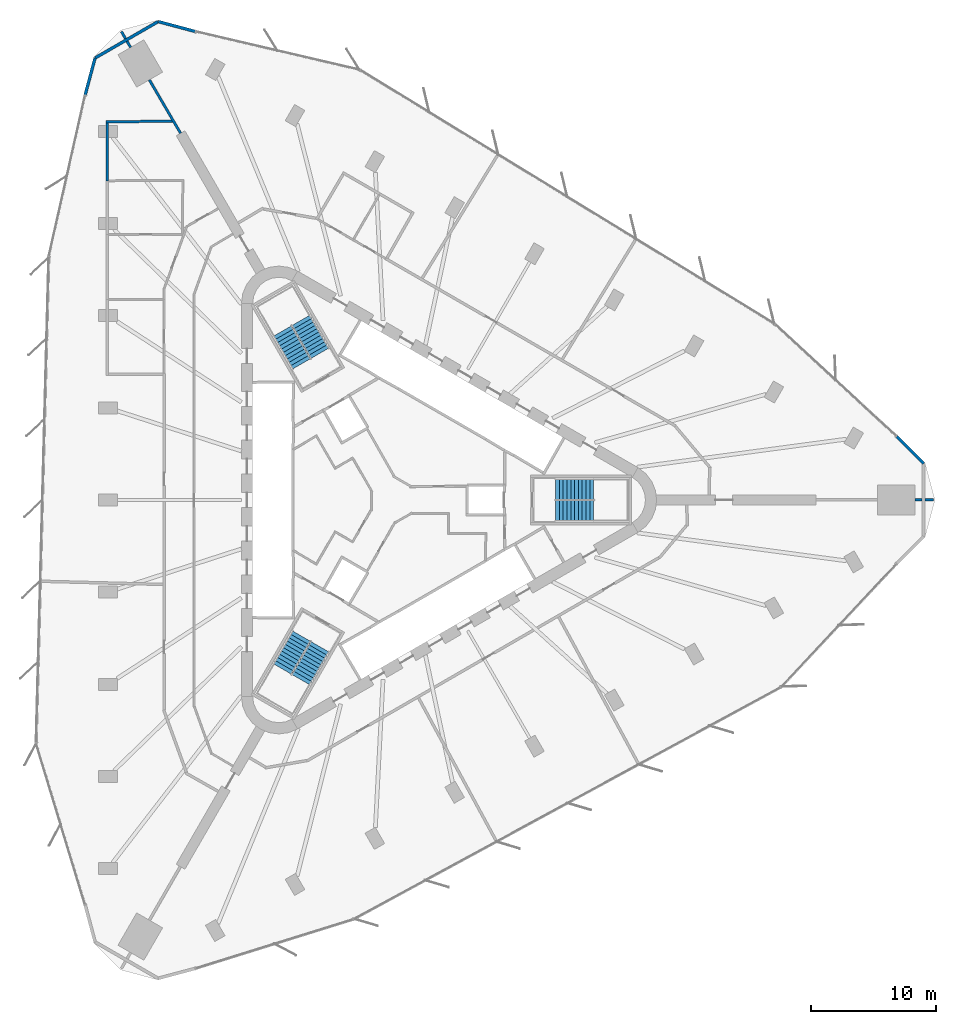
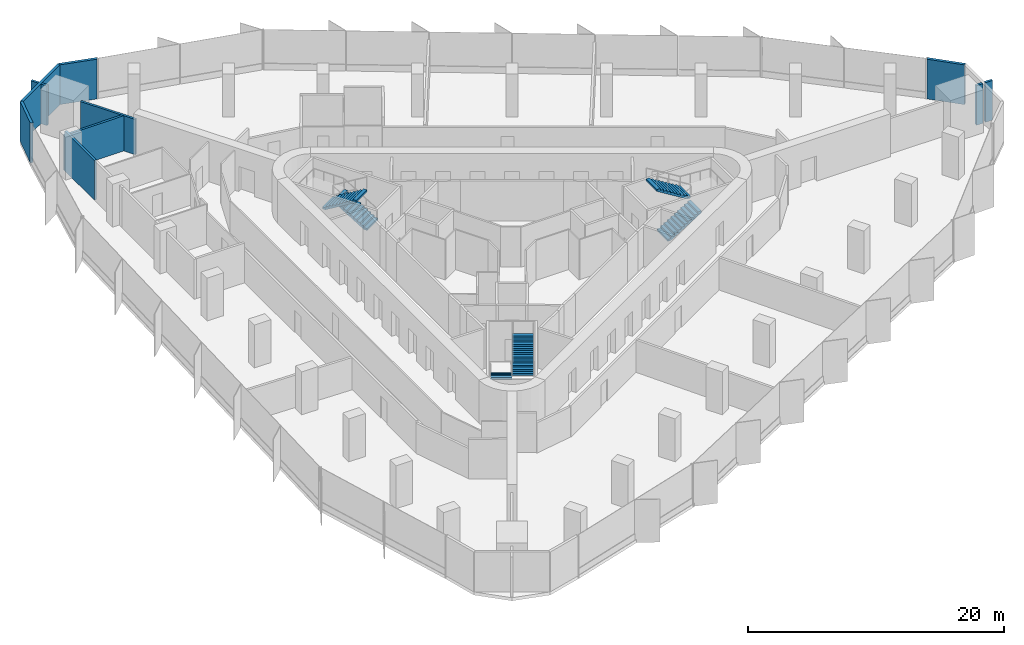
# One storey, part 13 of 14: 11 walls, 6 stair flights, 3 elements without a shape of their own.
"""IFC4 building model written with IfcOpenShell, lengths in metres."""

from ifc_helpers import new_model, si_unit, direction, frame, frame_2d, origin, place, context, subcontext, project, spatial, polyline, rectangle, outline, extrude, material, layer, layer_set, type_object, element, aggregate, save


model = new_model("IFC4")

# Units and contexts
model_context = context("Model", 3, precision=1e-05, world=origin(), true_north=direction((0.0, 1.0)))
body_context = subcontext(model_context, "Body", "Model", "MODEL_VIEW")
ifc_project = project(units=[si_unit("LENGTHUNIT", "METRE"), si_unit("AREAUNIT", "SQUARE_METRE"), si_unit("VOLUMEUNIT", "CUBIC_METRE"), si_unit("PLANEANGLEUNIT", "RADIAN"), si_unit("MASSUNIT", "GRAM", prefix="KILO")], contexts=[model_context])

# Site, building, storey
site_placement = place(None, origin())
site = spatial("IfcSite", under=ifc_project, at=site_placement, CompositionType="ELEMENT")
building_placement = place(site_placement, origin())
building = spatial("IfcBuilding", under=site, at=building_placement, Name="Tanit Gate Tower", CompositionType="ELEMENT")
storey_placement = place(building_placement, frame((0.0, 0.0, 127.5)))
storey = spatial("IfcBuildingStorey", under=building, at=storey_placement, Name="L27", CompositionType="ELEMENT", Elevation=127.5)

# Walls
ifc_material_1 = material(Name="Concrete C30/37 with bronze anodised aluminium cladding", Category="concrete")
ifc_layer_1 = layer(ifc_material_1, 0.239990234375)
ifc_layer_set_1 = layer_set([ifc_layer_1], Name="Facade wall bronze clad 240")
wall_type_1 = type_object("IfcWallType", Name="Facade wall bronze clad 240", PredefinedType="SOLIDWALL", material=ifc_layer_set_1)
wall_1_placement = place(storey_placement, frame((-15.81689453125, 37.57763671875, 0.0), z_axis=(0.0, 0.0, 1.0), x_axis=(-0.965920651814, 0.258838355735, 0.0)))
element("IfcWall", 1, at=wall_1_placement, inside=storey, type_object=wall_type_1, Name="Bronze-clad facade wall L27 NW.arc1", PredefinedType="SOLIDWALL", context=body_context, shape_type="SweptSolid", body=[
    extrude(rectangle(XDim=3.062744140625, YDim=0.239990234375, at=frame_2d((1.53125, 0.0))), origin(), (0.0, 0.0, 1.0), 3.800048828125),
])
wall_2_placement = place(storey_placement, frame((-18.775146484375, 38.370361328125, 0.0), z_axis=(0.0, 0.0, 1.0), x_axis=(-0.866031321059, -0.49998975084, 0.0)))
element("IfcWall", 2, at=wall_2_placement, inside=storey, type_object=wall_type_1, Name="Bronze-clad facade wall L27 NW.arc2", PredefinedType="SOLIDWALL", context=body_context, shape_type="SweptSolid", body=[
    extrude(rectangle(XDim=5.8505859375, YDim=0.239990234375, at=frame_2d((2.92529296875, 0.0))), origin(), (0.0, 0.0, 1.0), 3.800048828125),
])
for number, where, z_axis, x_axis, name in (
    (3, (-23.842041015625, 35.445068359375, 0.0), (0.0, 0.0, 1.0), (-0.258805249011, -0.965929522835, 0.0), "Bronze-clad facade wall L27 NW.arc3"),
    (4, (42.617431640625, 2.92529296875, 0.0), (0.0, 0.0, 1.0), (-0.707106781187, 0.707106781187, 0.0), "Bronze-clad facade wall L27 E.arc3"),
):
    element("IfcWall", number, at=place(storey_placement, frame(where, z_axis=z_axis, x_axis=x_axis)), inside=storey, type_object=wall_type_1, Name=name, PredefinedType="SOLIDWALL", context=body_context, shape_type="SweptSolid", body=[
        extrude(rectangle(XDim=3.058349609375, YDim=0.239990234375, at=frame_2d((1.529296875, 0.0))), origin(), (0.0, 0.0, 1.0), 3.800048828125),
    ])
ifc_material_2 = material(Name="Fire-rated gypsum board partition")
ifc_layer_2 = layer(ifc_material_2, 0.199951171875)
ifc_layer_set_2 = layer_set([ifc_layer_2], Name="INT-WALL-COMPARTMENT")
wall_type_2 = type_object("IfcWallType", Name="INT-WALL-COMPARTMENT", PredefinedType="PARTITIONING", material=ifc_layer_set_2)
wall_3_placement = place(storey_placement, frame((-21.72265625, 37.564697265625, 0.0), z_axis=(0.0, 0.0, 1.0), x_axis=(0.499862072928, -0.866105021373, 0.0)))
element("IfcWall", 5, at=wall_3_placement, inside=storey, type_object=wall_type_2, Name="Wall Compartment W116", PredefinedType="PARTITIONING", context=body_context, shape_type="SweptSolid", body=[
    extrude(rectangle(XDim=0.656005859375, YDim=0.199951171875, at=frame_2d((0.328125, 0.0))), origin(), (0.0, 0.0, 1.0), 3.800048828125),
])
wall_4_placement = place(storey_placement, frame((-21.274658203125, 36.788818359375, 0.0), z_axis=(0.0, 0.0, 1.0), x_axis=(0.499857944771, -0.866107403877, 0.0)))
element("IfcWall", 6, at=wall_4_placement, inside=storey, type_object=wall_type_2, Name="Wall Compartment W116x1", PredefinedType="PARTITIONING", context=body_context, shape_type="SweptSolid", body=[
    extrude(rectangle(XDim=0.572021484375, YDim=0.199951171875, at=frame_2d((0.2861328125, 0.0))), origin(), (0.0, 0.0, 1.0), 3.800048828125),
])
wall_5_placement = place(storey_placement, frame((-19.48876953125, 33.695556640625, 0.0), z_axis=(0.0, 0.0, 1.0), x_axis=(0.50520690072, -0.862998254613, 0.0)))
element("IfcWall", 7, at=wall_5_placement, inside=storey, type_object=wall_type_2, Name="Wall Compartment W117", PredefinedType="PARTITIONING", context=body_context, shape_type="SweptSolid", body=[
    extrude(rectangle(XDim=4.96337890625, YDim=0.199951171875, at=frame_2d((2.481689453125, 0.0))), origin(), (0.0, 0.0, 1.0), 3.3701171875),
])
wall_6_placement = place(storey_placement, frame((-22.85009765625, 25.599853515625, 0.0), z_axis=(0.0, 0.0, 1.0), x_axis=(0.0, 1.0, 0.0)))
element("IfcWall", 8, at=wall_6_placement, inside=storey, type_object=wall_type_2, Name="Wall Compartment W123", PredefinedType="PARTITIONING", context=body_context, shape_type="SweptSolid", body=[
    extrude(rectangle(XDim=4.64013671875, YDim=0.199951171875, at=frame_2d((2.320068359375, 0.0))), origin(), (0.0, 0.0, 1.0), 3.800048828125),
])
wall_7_placement = place(storey_placement, frame((-17.5341796875, 30.3701171875, 0.0), z_axis=(0.0, 0.0, 1.0), x_axis=(-0.999983869047, -0.00567993362, 0.0)))
element("IfcWall", 9, at=wall_7_placement, inside=storey, type_object=wall_type_2, Name="Wall Compartment W122", PredefinedType="PARTITIONING", context=body_context, shape_type="SweptSolid", body=[
    extrude(rectangle(XDim=5.415771484375, YDim=0.199951171875, at=frame_2d((2.7080078125, 0.0))), origin(), (0.0, 0.0, 1.0), 3.3701171875),
])
wall_8_placement = place(storey_placement, frame((43.39306640625, 0.030029296875, 0.0), z_axis=(0.0, 0.0, 1.0), x_axis=(-1.0, 0.0, 0.0)))
element("IfcWall", 10, at=wall_8_placement, inside=storey, type_object=wall_type_2, Name="Wall Compartment W132", PredefinedType="PARTITIONING", context=body_context, shape_type="SweptSolid", body=[
    extrude(rectangle(XDim=0.65576171875, YDim=0.199951171875, at=frame_2d((0.327880859375, 0.0))), origin(), (0.0, 0.0, 1.0), 3.800048828125),
])
wall_9_placement = place(storey_placement, frame((42.497314453125, 0.030029296875, 0.0), z_axis=(0.0, 0.0, 1.0), x_axis=(-1.0, 0.0, 0.0)))
element("IfcWall", 11, at=wall_9_placement, inside=storey, type_object=wall_type_2, Name="Wall Compartment W132x1", PredefinedType="PARTITIONING", context=body_context, shape_type="SweptSolid", body=[
    extrude(rectangle(XDim=0.572021484375, YDim=0.199951171875, at=frame_2d((0.2861328125, 0.0))), origin(), (0.0, 0.0, 1.0), 3.800048828125),
])

# Stair, stair flights
ifc_material_3 = material(Name="Concrete C40/50", Category="concrete")
stair_type = type_object("IfcStairType", Name="INT-STAIR-EXIT", PredefinedType="HALF_TURN_STAIR", material=ifc_material_3)
stair_1_placement = place(storey_placement, origin())
stair_1 = element("IfcStair", 12, at=stair_1_placement, inside=storey, type_object=stair_type, Name="L27 STAIR S1", PredefinedType="HALF_TURN_STAIR")
ifc_material_4 = material(Name="Concrete C40/50", Category="concrete")
stair_flight_type = type_object("IfcStairFlightType", Name="INT-STAIR-FLIGHT", PredefinedType="STRAIGHT", material=ifc_material_4)
stair_flight_1_placement = place(storey_placement, frame((13.094970703125, -0.8525390625, 0.0), z_axis=(0.0, 0.0, 1.0), x_axis=(1.0, 0.0, 0.0)))
stair_flight_1 = element("IfcStairFlight", 13, at=stair_flight_1_placement, type_object=stair_flight_type, Name="S1 flight 1", NumberOfRisers=11, NumberOfTreads=10, PredefinedType="STRAIGHT", RiserHeight=0.186363636, TreadLength=0.3051, context=body_context, shape_type="SweptSolid", body=[
    extrude(outline(polyline([(0.0, 0.0), (0.0, 0.186279296875), (0.30517578125, 0.186279296875), (0.30517578125, 0.372802734375), (0.610107421875, 0.372802734375), (0.610107421875, 0.55908203125), (0.915283203125, 0.55908203125), (0.915283203125, 0.745361328125), (1.220458984375, 0.745361328125), (1.220458984375, 0.931884765625), (1.525390625, 0.931884765625), (1.525390625, 1.1181640625), (1.83056640625, 1.1181640625), (1.83056640625, 1.304443359375), (2.1357421875, 1.304443359375), (2.1357421875, 1.490966796875), (2.44091796875, 1.490966796875), (2.44091796875, 1.67724609375), (2.745849609375, 1.67724609375), (2.745849609375, 1.863525390625), (3.051025390625, 1.863525390625), (3.051025390625, 2.050048828125), (3.051025390625, 1.68798828125), (0.28759765625, 0.0), (0.0, 0.0)])), frame((0.0, 0.84765625, 0.0), z_axis=(0.0, -1.0, 0.0), x_axis=(1.0, 0.0, 0.0)), (0.0, 0.0, 1.0), 1.695068359375),
])
stair_flight_2_placement = place(storey_placement, frame((16.14599609375, 0.8525390625, 2.050048828125), z_axis=(0.0, 0.0, 1.0), x_axis=(-1.0, 0.0, 0.0)))
stair_flight_2 = element("IfcStairFlight", 14, at=stair_flight_2_placement, type_object=stair_flight_type, Name="S1 flight 2", NumberOfRisers=11, NumberOfTreads=10, PredefinedType="STRAIGHT", RiserHeight=0.186363636, TreadLength=0.3051, context=body_context, shape_type="SweptSolid", body=[
    extrude(outline(polyline([(0.0, 0.0), (0.0, 0.186279296875), (0.30517578125, 0.186279296875), (0.30517578125, 0.372802734375), (0.610107421875, 0.372802734375), (0.610107421875, 0.55908203125), (0.915283203125, 0.55908203125), (0.915283203125, 0.745361328125), (1.220458984375, 0.745361328125), (1.220458984375, 0.931884765625), (1.525390625, 0.931884765625), (1.525390625, 1.1181640625), (1.83056640625, 1.1181640625), (1.83056640625, 1.304443359375), (2.1357421875, 1.304443359375), (2.1357421875, 1.490966796875), (2.44091796875, 1.490966796875), (2.44091796875, 1.67724609375), (2.745849609375, 1.67724609375), (2.745849609375, 1.863525390625), (3.051025390625, 1.863525390625), (3.051025390625, 2.050048828125), (3.051025390625, 1.68798828125), (0.28759765625, 0.0), (0.0, 0.0)])), frame((0.0, 0.84765625, 0.0), z_axis=(0.0, -1.0, 0.0), x_axis=(1.0, 0.0, 0.0)), (0.0, 0.0, 1.0), 1.695068359375),
])
aggregate(stair_1, [stair_flight_1, stair_flight_2])

stair_2_placement = place(storey_placement, origin())
stair_2 = element("IfcStair", 15, at=stair_2_placement, inside=storey, type_object=stair_type, Name="L27 STAIR S2", PredefinedType="HALF_TURN_STAIR")
stair_flight_3_placement = place(storey_placement, frame((-5.808349609375, 11.766357421875, 0.0), z_axis=(0.0, 0.0, 1.0), x_axis=(-0.5, 0.866025403784, 0.0)))
stair_flight_3 = element("IfcStairFlight", 16, at=stair_flight_3_placement, type_object=stair_flight_type, Name="S2 flight 1", NumberOfRisers=11, NumberOfTreads=10, PredefinedType="STRAIGHT", RiserHeight=0.186363636, TreadLength=0.30492, context=body_context, shape_type="SweptSolid", body=[
    extrude(outline(polyline([(0.0, 0.0), (0.0, 0.186279296875), (0.304931640625, 0.186279296875), (0.304931640625, 0.372802734375), (0.60986328125, 0.372802734375), (0.60986328125, 0.55908203125), (0.914794921875, 0.55908203125), (0.914794921875, 0.745361328125), (1.2197265625, 0.745361328125), (1.2197265625, 0.931884765625), (1.524658203125, 0.931884765625), (1.524658203125, 1.1181640625), (1.82958984375, 1.1181640625), (1.82958984375, 1.304443359375), (2.134521484375, 1.304443359375), (2.134521484375, 1.490966796875), (2.439453125, 1.490966796875), (2.439453125, 1.67724609375), (2.744384765625, 1.67724609375), (2.744384765625, 1.863525390625), (3.04931640625, 1.863525390625), (3.04931640625, 2.050048828125), (3.04931640625, 1.68798828125), (0.287353515625, 0.0), (0.0, 0.0)])), frame((0.0, 0.84716796875, 0.0), z_axis=(0.0, -1.0, 0.0), x_axis=(1.0, 0.0, 0.0)), (0.0, 0.0, 1.0), 1.694091796875),
])
stair_flight_4_placement = place(storey_placement, frame((-8.810302734375, 13.553955078125, 2.050048828125), z_axis=(0.0, 0.0, 1.0), x_axis=(0.5, -0.866025403784, 0.0)))
stair_flight_4 = element("IfcStairFlight", 17, at=stair_flight_4_placement, type_object=stair_flight_type, Name="S2 flight 2", NumberOfRisers=11, NumberOfTreads=10, PredefinedType="STRAIGHT", RiserHeight=0.186363636, TreadLength=0.30492, context=body_context, shape_type="SweptSolid", body=[
    extrude(outline(polyline([(0.0, 0.0), (0.0, 0.186279296875), (0.304931640625, 0.186279296875), (0.304931640625, 0.372802734375), (0.60986328125, 0.372802734375), (0.60986328125, 0.55908203125), (0.914794921875, 0.55908203125), (0.914794921875, 0.745361328125), (1.2197265625, 0.745361328125), (1.2197265625, 0.931884765625), (1.524658203125, 0.931884765625), (1.524658203125, 1.1181640625), (1.82958984375, 1.1181640625), (1.82958984375, 1.304443359375), (2.134521484375, 1.304443359375), (2.134521484375, 1.490966796875), (2.439453125, 1.490966796875), (2.439453125, 1.67724609375), (2.744384765625, 1.67724609375), (2.744384765625, 1.863525390625), (3.04931640625, 1.863525390625), (3.04931640625, 2.050048828125), (3.04931640625, 1.68798828125), (0.287353515625, 0.0), (0.0, 0.0)])), frame((0.0, 0.84716796875, 0.0), z_axis=(0.0, -1.0, 0.0), x_axis=(1.0, 0.0, 0.0)), (0.0, 0.0, 1.0), 1.694091796875),
])
aggregate(stair_2, [stair_flight_3, stair_flight_4])

stair_3_placement = place(storey_placement, origin())
stair_3 = element("IfcStair", 18, at=stair_3_placement, inside=storey, type_object=stair_type, Name="L27 STAIR S3", PredefinedType="HALF_TURN_STAIR")
stair_flight_5_placement = place(storey_placement, frame((-7.285888671875, -10.914306640625, 0.0), z_axis=(0.0, 0.0, 1.0), x_axis=(-0.5, -0.866025403784, 0.0)))
stair_flight_5 = element("IfcStairFlight", 19, at=stair_flight_5_placement, type_object=stair_flight_type, Name="S3 flight 1", NumberOfRisers=11, NumberOfTreads=10, PredefinedType="STRAIGHT", RiserHeight=0.186363636, TreadLength=0.3051, context=body_context, shape_type="SweptSolid", body=[
    extrude(outline(polyline([(0.0, 0.0), (0.0, 0.186279296875), (0.30517578125, 0.186279296875), (0.30517578125, 0.372802734375), (0.610107421875, 0.372802734375), (0.610107421875, 0.55908203125), (0.915283203125, 0.55908203125), (0.915283203125, 0.745361328125), (1.220458984375, 0.745361328125), (1.220458984375, 0.931884765625), (1.525390625, 0.931884765625), (1.525390625, 1.1181640625), (1.83056640625, 1.1181640625), (1.83056640625, 1.304443359375), (2.1357421875, 1.304443359375), (2.1357421875, 1.490966796875), (2.44091796875, 1.490966796875), (2.44091796875, 1.67724609375), (2.745849609375, 1.67724609375), (2.745849609375, 1.863525390625), (3.051025390625, 1.863525390625), (3.051025390625, 2.050048828125), (3.051025390625, 1.68798828125), (0.28759765625, 0.0), (0.0, 0.0)])), frame((0.0, 0.84765625, 0.0), z_axis=(0.0, -1.0, 0.0), x_axis=(1.0, 0.0, 0.0)), (0.0, 0.0, 1.0), 1.695068359375),
])
stair_flight_6_placement = place(storey_placement, frame((-7.334716796875, -14.4091796875, 2.050048828125), z_axis=(0.0, 0.0, 1.0), x_axis=(0.5, 0.866025403784, 0.0)))
stair_flight_6 = element("IfcStairFlight", 20, at=stair_flight_6_placement, type_object=stair_flight_type, Name="S3 flight 2", NumberOfRisers=11, NumberOfTreads=10, PredefinedType="STRAIGHT", RiserHeight=0.186363636, TreadLength=0.3051, context=body_context, shape_type="SweptSolid", body=[
    extrude(outline(polyline([(0.0, 0.0), (0.0, 0.186279296875), (0.30517578125, 0.186279296875), (0.30517578125, 0.372802734375), (0.610107421875, 0.372802734375), (0.610107421875, 0.55908203125), (0.915283203125, 0.55908203125), (0.915283203125, 0.745361328125), (1.220458984375, 0.745361328125), (1.220458984375, 0.931884765625), (1.525390625, 0.931884765625), (1.525390625, 1.1181640625), (1.83056640625, 1.1181640625), (1.83056640625, 1.304443359375), (2.1357421875, 1.304443359375), (2.1357421875, 1.490966796875), (2.44091796875, 1.490966796875), (2.44091796875, 1.67724609375), (2.745849609375, 1.67724609375), (2.745849609375, 1.863525390625), (3.051025390625, 1.863525390625), (3.051025390625, 2.050048828125), (3.051025390625, 1.68798828125), (0.28759765625, 0.0), (0.0, 0.0)])), frame((0.0, 0.84765625, 0.0), z_axis=(0.0, -1.0, 0.0), x_axis=(1.0, 0.0, 0.0)), (0.0, 0.0, 1.0), 1.695068359375),
])
aggregate(stair_3, [stair_flight_5, stair_flight_6])

save(model, "model.ifc")
